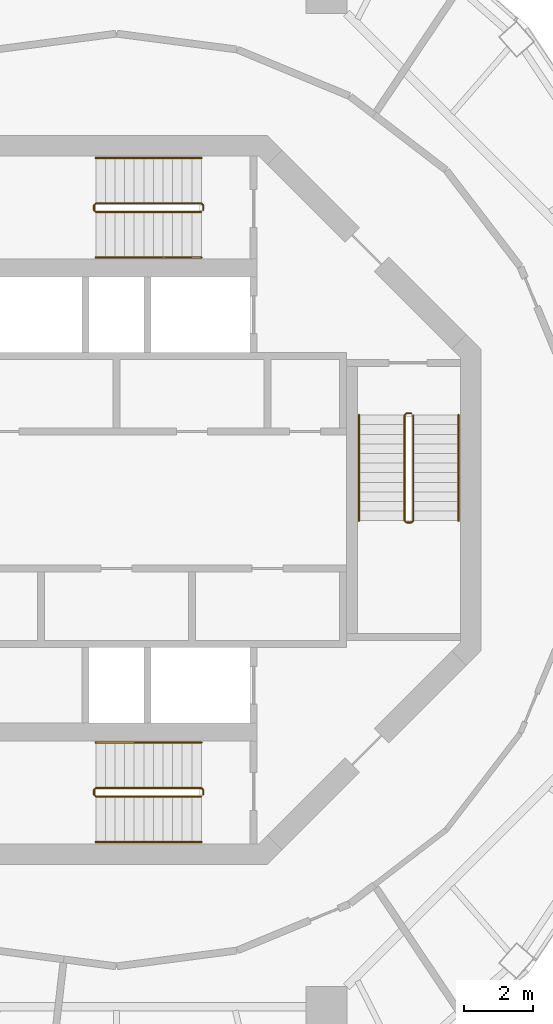
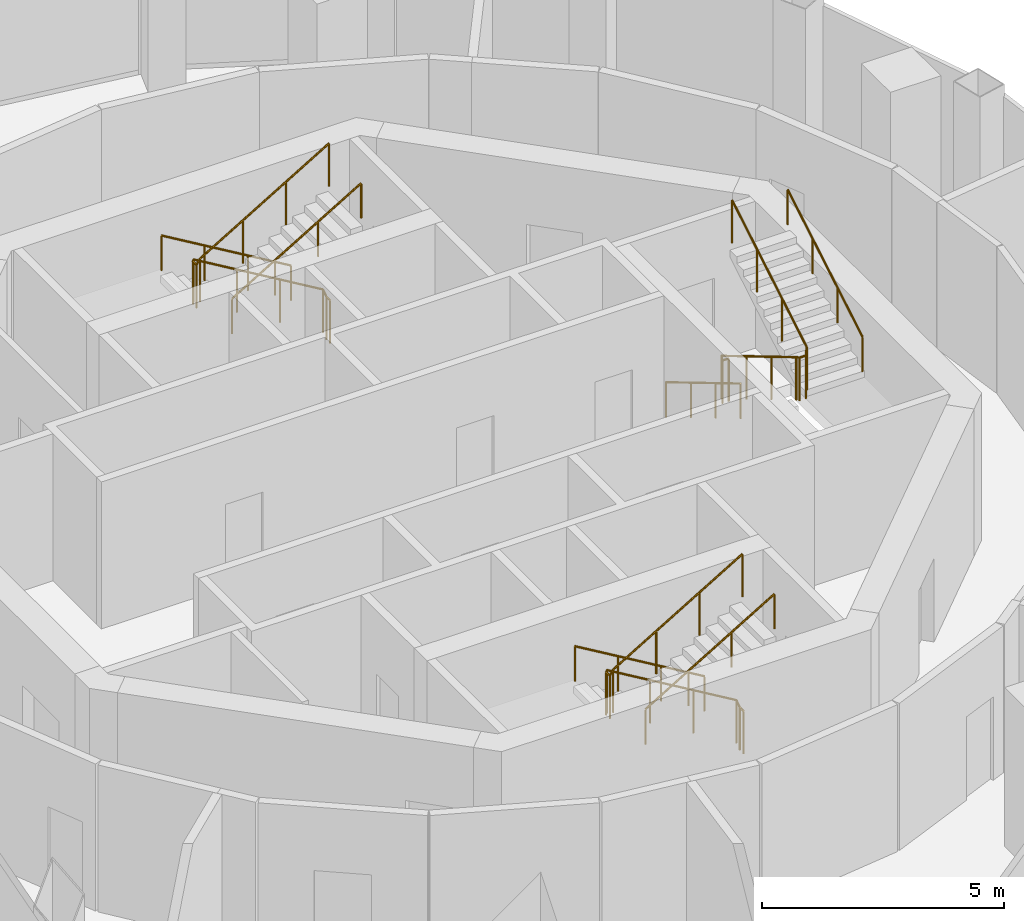
# One storey, part 11 of 11: 9 railings.
"""IFC4 building model written with IfcOpenShell, lengths in metres."""

from ifc_helpers import new_model, si_unit, direction, frame, origin, origin_2d, place, context, subcontext, project, spatial, circle, extrude, material, type_object, element, save


model = new_model("IFC4")

# Units and contexts
model_context = context("Model", 3, precision=1e-05, world=origin(), true_north=direction((0.0, 1.0)))
body_context = subcontext(model_context, "Body", "Model", "MODEL_VIEW")
ifc_project = project(units=[si_unit("LENGTHUNIT", "METRE"), si_unit("AREAUNIT", "SQUARE_METRE"), si_unit("VOLUMEUNIT", "CUBIC_METRE"), si_unit("PLANEANGLEUNIT", "RADIAN"), si_unit("MASSUNIT", "GRAM", prefix="KILO")], contexts=[model_context])

# Site, building, storey
site_placement = place(None, origin())
site = spatial("IfcSite", under=ifc_project, at=site_placement, CompositionType="ELEMENT")
building_placement = place(site_placement, origin())
building = spatial("IfcBuilding", under=site, at=building_placement, Name="Nagisa Residences", CompositionType="ELEMENT")
storey_placement = place(building_placement, frame((0.0, 0.0, 336.89990234375)))
storey = spatial("IfcBuildingStorey", under=building, at=storey_placement, Name="L83", CompositionType="ELEMENT", Elevation=336.89990234375)

# Railings
ifc_material_1 = material(Name="Stainless steel", Category="steel")
railing_type_1 = type_object("IfcRailingType", Name="Stair guard 1100", PredefinedType="GUARDRAIL", material=ifc_material_1)
railing_1_placement = place(storey_placement, frame((8.599609375, 2.52490234375, 0.0)))
element("IfcRailing", 1, at=railing_1_placement, inside=storey, type_object=railing_type_1, Name="L83 ST-E stair guard 1", PredefinedType="GUARDRAIL", context=body_context, shape_type="SweptSolid", body=[
    extrude(circle(Radius=0.02392578125, at=origin_2d()), frame((0.0, 0.0, 1.076171875), z_axis=(-1.0, 0.0, 0.0), x_axis=(0.0, -1.0, 0.0)), (0.0, 0.0, 1.0), 0.14990234375),
    extrude(circle(Radius=0.02392578125, at=origin_2d()), frame((-0.14990234375, 0.0, 1.076171875), z_axis=(-0.276389281352, -0.275041040955, 0.920848191041), x_axis=(0.705375805398, -0.708833529934, 0.0)), (0.0, 0.0, 1.0), 0.18115234375),
    extrude(circle(Radius=0.02392578125, at=origin_2d()), frame((-0.199951171875, -0.0498046875, 1.24267578125), z_axis=(0.0, -0.859308565015, 0.511457515432), x_axis=(1.0, 0.0, 0.0)), (0.0, 0.0, 1.0), 3.58447265625),
    extrude(circle(Radius=0.02392578125, at=origin_2d()), frame((-0.199951171875, -3.1298828125, 3.076171875), z_axis=(0.707106781187, -0.707106781187, 0.0), x_axis=(0.707106781187, 0.707106781187, 0.0)), (0.0, 0.0, 1.0), 0.07080078125),
    extrude(circle(Radius=0.02392578125, at=origin_2d()), frame((-0.14990234375, -3.179931640625, 3.076171875), z_axis=(1.0, 0.0, 0.0), x_axis=(0.0, 1.0, 0.0)), (0.0, 0.0, 1.0), 0.14990234375),
    extrude(circle(Radius=0.02392578125, at=origin_2d()), frame((0.0, -3.179931640625, 3.076171875), z_axis=(0.27628659633, 0.27628659633, 0.920506074601), x_axis=(-0.707106781187, 0.707106781187, 0.0)), (0.0, 0.0, 1.0), 0.18115234375),
    extrude(circle(Radius=0.02392578125, at=origin_2d()), frame((0.050048828125, -3.1298828125, 3.24267578125), z_axis=(0.0, 0.859308565015, 0.511457515432), x_axis=(-1.0, 0.0, 0.0)), (0.0, 0.0, 1.0), 3.58447265625),
    extrude(circle(Radius=0.02099609375, at=origin_2d()), origin(), (0.0, 0.0, 1.0), 1.052001953125),
    extrude(circle(Radius=0.02099609375, at=origin_2d()), frame((-0.14990234375, 0.0, 0.0)), (0.0, 0.0, 1.0), 1.052001953125),
    extrude(circle(Radius=0.02099609375, at=origin_2d()), frame((-0.199951171875, -0.0498046875, 0.166748046875)), (0.0, 0.0, 1.0), 1.052001953125),
    extrude(circle(Radius=0.02099609375, at=origin_2d()), frame((-0.199951171875, -1.076416015625, 0.77783203125)), (0.0, 0.0, 1.0), 1.052001953125),
    extrude(circle(Radius=0.02099609375, at=origin_2d()), frame((-0.199951171875, -2.103271484375, 1.388916015625)), (0.0, 0.0, 1.0), 1.052001953125),
    extrude(circle(Radius=0.02099609375, at=origin_2d()), frame((-0.199951171875, -3.1298828125, 2.0)), (0.0, 0.0, 1.0), 1.052001953125),
    extrude(circle(Radius=0.02099609375, at=origin_2d()), frame((-0.14990234375, -3.179931640625, 2.0)), (0.0, 0.0, 1.0), 1.052001953125),
    extrude(circle(Radius=0.02099609375, at=origin_2d()), frame((0.0, -3.179931640625, 2.0)), (0.0, 0.0, 1.0), 1.052001953125),
    extrude(circle(Radius=0.02099609375, at=origin_2d()), frame((0.050048828125, -3.1298828125, 2.166748046875)), (0.0, 0.0, 1.0), 1.052001953125),
    extrude(circle(Radius=0.02099609375, at=origin_2d()), frame((0.050048828125, -2.103271484375, 2.77783203125)), (0.0, 0.0, 1.0), 1.052001953125),
    extrude(circle(Radius=0.02099609375, at=origin_2d()), frame((0.050048828125, -1.076416015625, 3.388916015625)), (0.0, 0.0, 1.0), 1.052001953125),
    extrude(circle(Radius=0.02099609375, at=origin_2d()), frame((0.050048828125, -0.0498046875, 4.0)), (0.0, 0.0, 1.0), 1.052001953125),
])
railing_2_placement = place(storey_placement, frame((2.52490234375, 8.44970703125, 0.0)))
element("IfcRailing", 2, at=railing_2_placement, inside=storey, type_object=railing_type_1, Name="L83 ST-N stair guard 1", PredefinedType="GUARDRAIL", context=body_context, shape_type="SweptSolid", body=[
    extrude(circle(Radius=0.02392578125, at=origin_2d()), frame((0.0, 0.0, 1.076171875), z_axis=(0.0, 1.0, 0.0), x_axis=(-1.0, 0.0, 0.0)), (0.0, 0.0, 1.0), 0.14990234375),
    extrude(circle(Radius=0.02392578125, at=origin_2d()), frame((0.0, 0.14990234375, 1.076171875), z_axis=(-0.275041040955, 0.276389281352, 0.920848191041), x_axis=(-0.708833529934, -0.705375805398, 0.0)), (0.0, 0.0, 1.0), 0.18115234375),
    extrude(circle(Radius=0.02392578125, at=origin_2d()), frame((-0.0498046875, 0.199951171875, 1.24267578125), z_axis=(-0.859308565015, 0.0, 0.511457515432), x_axis=(0.0, -1.0, 0.0)), (0.0, 0.0, 1.0), 3.58447265625),
    extrude(circle(Radius=0.02392578125, at=origin_2d()), frame((-3.1298828125, 0.199951171875, 3.076171875), z_axis=(-0.707106781187, -0.707106781187, 0.0), x_axis=(0.707106781187, -0.707106781187, 0.0)), (0.0, 0.0, 1.0), 0.07080078125),
    extrude(circle(Radius=0.02392578125, at=origin_2d()), frame((-3.179931640625, 0.14990234375, 3.076171875), z_axis=(0.0, -1.0, 0.0), x_axis=(1.0, 0.0, 0.0)), (0.0, 0.0, 1.0), 0.14990234375),
    extrude(circle(Radius=0.02392578125, at=origin_2d()), frame((-3.179931640625, 0.0, 3.076171875), z_axis=(0.27628659633, -0.27628659633, 0.920506074601), x_axis=(0.707106781187, 0.707106781187, 0.0)), (0.0, 0.0, 1.0), 0.18115234375),
    extrude(circle(Radius=0.02392578125, at=origin_2d()), frame((-3.1298828125, -0.050048828125, 3.24267578125), z_axis=(0.859308565015, 0.0, 0.511457515432), x_axis=(0.0, 1.0, 0.0)), (0.0, 0.0, 1.0), 3.58447265625),
    extrude(circle(Radius=0.02099609375, at=origin_2d()), origin(), (0.0, 0.0, 1.0), 1.052001953125),
    extrude(circle(Radius=0.02099609375, at=origin_2d()), frame((0.0, 0.14990234375, 0.0)), (0.0, 0.0, 1.0), 1.052001953125),
    extrude(circle(Radius=0.02099609375, at=origin_2d()), frame((-0.0498046875, 0.199951171875, 0.166748046875)), (0.0, 0.0, 1.0), 1.052001953125),
    extrude(circle(Radius=0.02099609375, at=origin_2d()), frame((-1.076416015625, 0.199951171875, 0.77783203125)), (0.0, 0.0, 1.0), 1.052001953125),
    extrude(circle(Radius=0.02099609375, at=origin_2d()), frame((-2.103271484375, 0.199951171875, 1.388916015625)), (0.0, 0.0, 1.0), 1.052001953125),
    extrude(circle(Radius=0.02099609375, at=origin_2d()), frame((-3.1298828125, 0.199951171875, 2.0)), (0.0, 0.0, 1.0), 1.052001953125),
    extrude(circle(Radius=0.02099609375, at=origin_2d()), frame((-3.179931640625, 0.14990234375, 2.0)), (0.0, 0.0, 1.0), 1.052001953125),
    extrude(circle(Radius=0.02099609375, at=origin_2d()), frame((-3.179931640625, 0.0, 2.0)), (0.0, 0.0, 1.0), 1.052001953125),
    extrude(circle(Radius=0.02099609375, at=origin_2d()), frame((-3.1298828125, -0.050048828125, 2.166748046875)), (0.0, 0.0, 1.0), 1.052001953125),
    extrude(circle(Radius=0.02099609375, at=origin_2d()), frame((-2.103271484375, -0.050048828125, 2.77783203125)), (0.0, 0.0, 1.0), 1.052001953125),
    extrude(circle(Radius=0.02099609375, at=origin_2d()), frame((-1.076416015625, -0.050048828125, 3.388916015625)), (0.0, 0.0, 1.0), 1.052001953125),
    extrude(circle(Radius=0.02099609375, at=origin_2d()), frame((-0.0498046875, -0.050048828125, 4.0)), (0.0, 0.0, 1.0), 1.052001953125),
])
railing_3_placement = place(storey_placement, frame((2.52490234375, -8.599609375, 0.0)))
element("IfcRailing", 3, at=railing_3_placement, inside=storey, type_object=railing_type_1, Name="L83 ST-S stair guard 1", PredefinedType="GUARDRAIL", context=body_context, shape_type="SweptSolid", body=[
    extrude(circle(Radius=0.02392578125, at=origin_2d()), frame((0.0, 0.0, 1.076171875), z_axis=(0.0, 1.0, 0.0), x_axis=(-1.0, 0.0, 0.0)), (0.0, 0.0, 1.0), 0.14990234375),
    extrude(circle(Radius=0.02392578125, at=origin_2d()), frame((0.0, 0.14990234375, 1.076171875), z_axis=(-0.275041040955, 0.276389281352, 0.920848191041), x_axis=(-0.708833529934, -0.705375805398, 0.0)), (0.0, 0.0, 1.0), 0.18115234375),
    extrude(circle(Radius=0.02392578125, at=origin_2d()), frame((-0.0498046875, 0.199951171875, 1.24267578125), z_axis=(-0.859308565015, 0.0, 0.511457515432), x_axis=(0.0, -1.0, 0.0)), (0.0, 0.0, 1.0), 3.58447265625),
    extrude(circle(Radius=0.02392578125, at=origin_2d()), frame((-3.1298828125, 0.199951171875, 3.076171875), z_axis=(-0.707106781187, -0.707106781187, 0.0), x_axis=(0.707106781187, -0.707106781187, 0.0)), (0.0, 0.0, 1.0), 0.07080078125),
    extrude(circle(Radius=0.02392578125, at=origin_2d()), frame((-3.179931640625, 0.14990234375, 3.076171875), z_axis=(0.0, -1.0, 0.0), x_axis=(1.0, 0.0, 0.0)), (0.0, 0.0, 1.0), 0.14990234375),
    extrude(circle(Radius=0.02392578125, at=origin_2d()), frame((-3.179931640625, 0.0, 3.076171875), z_axis=(0.27628659633, -0.27628659633, 0.920506074601), x_axis=(0.707106781187, 0.707106781187, 0.0)), (0.0, 0.0, 1.0), 0.18115234375),
    extrude(circle(Radius=0.02392578125, at=origin_2d()), frame((-3.1298828125, -0.050048828125, 3.24267578125), z_axis=(0.859308565015, 0.0, 0.511457515432), x_axis=(0.0, 1.0, 0.0)), (0.0, 0.0, 1.0), 3.58447265625),
    extrude(circle(Radius=0.02099609375, at=origin_2d()), origin(), (0.0, 0.0, 1.0), 1.052001953125),
    extrude(circle(Radius=0.02099609375, at=origin_2d()), frame((0.0, 0.14990234375, 0.0)), (0.0, 0.0, 1.0), 1.052001953125),
    extrude(circle(Radius=0.02099609375, at=origin_2d()), frame((-0.0498046875, 0.199951171875, 0.166748046875)), (0.0, 0.0, 1.0), 1.052001953125),
    extrude(circle(Radius=0.02099609375, at=origin_2d()), frame((-1.076416015625, 0.199951171875, 0.77783203125)), (0.0, 0.0, 1.0), 1.052001953125),
    extrude(circle(Radius=0.02099609375, at=origin_2d()), frame((-2.103271484375, 0.199951171875, 1.388916015625)), (0.0, 0.0, 1.0), 1.052001953125),
    extrude(circle(Radius=0.02099609375, at=origin_2d()), frame((-3.1298828125, 0.199951171875, 2.0)), (0.0, 0.0, 1.0), 1.052001953125),
    extrude(circle(Radius=0.02099609375, at=origin_2d()), frame((-3.179931640625, 0.14990234375, 2.0)), (0.0, 0.0, 1.0), 1.052001953125),
    extrude(circle(Radius=0.02099609375, at=origin_2d()), frame((-3.179931640625, 0.0, 2.0)), (0.0, 0.0, 1.0), 1.052001953125),
    extrude(circle(Radius=0.02099609375, at=origin_2d()), frame((-3.1298828125, -0.050048828125, 2.166748046875)), (0.0, 0.0, 1.0), 1.052001953125),
    extrude(circle(Radius=0.02099609375, at=origin_2d()), frame((-2.103271484375, -0.050048828125, 2.77783203125)), (0.0, 0.0, 1.0), 1.052001953125),
    extrude(circle(Radius=0.02099609375, at=origin_2d()), frame((-1.076416015625, -0.050048828125, 3.388916015625)), (0.0, 0.0, 1.0), 1.052001953125),
    extrude(circle(Radius=0.02099609375, at=origin_2d()), frame((-0.0498046875, -0.050048828125, 4.0)), (0.0, 0.0, 1.0), 1.052001953125),
])
ifc_material_2 = material(Name="Stainless steel", Category="steel")
railing_type_2 = type_object("IfcRailingType", Name="Stair handrail 900", PredefinedType="HANDRAIL", material=ifc_material_2)
railing_4_placement = place(storey_placement, frame((7.07470703125, 2.47509765625, 0.166748046875)))
element("IfcRailing", 4, at=railing_4_placement, inside=storey, type_object=railing_type_2, Name="L83 ST-E stair handrail 1", PredefinedType="HANDRAIL", context=body_context, shape_type="SweptSolid", body=[
    extrude(circle(Radius=0.02392578125, at=origin_2d()), frame((0.0, 0.0, 0.8759765625), z_axis=(0.0, -0.859308565015, 0.511457515432), x_axis=(1.0, 0.0, 0.0)), (0.0, 0.0, 1.0), 3.58447265625),
    extrude(circle(Radius=0.02099609375, at=origin_2d()), origin(), (0.0, 0.0, 1.0), 0.851806640625),
    extrude(circle(Radius=0.02099609375, at=origin_2d()), frame((0.0, -1.026611328125, 0.611083984375)), (0.0, 0.0, 1.0), 0.851806640625),
    extrude(circle(Radius=0.02099609375, at=origin_2d()), frame((0.0, -2.053466796875, 1.22216796875)), (0.0, 0.0, 1.0), 0.851806640625),
    extrude(circle(Radius=0.02099609375, at=origin_2d()), frame((0.0, -3.080078125, 1.833251953125)), (0.0, 0.0, 1.0), 0.851806640625),
])
railing_5_placement = place(storey_placement, frame((9.974609375, -0.60498046875, 2.166748046875)))
element("IfcRailing", 5, at=railing_5_placement, inside=storey, type_object=railing_type_2, Name="L83 ST-E stair handrail 2", PredefinedType="HANDRAIL", context=body_context, shape_type="SweptSolid", body=[
    extrude(circle(Radius=0.02392578125, at=origin_2d()), frame((0.0, 0.0, 0.8759765625), z_axis=(0.0, 0.859308565015, 0.511457515432), x_axis=(-1.0, 0.0, 0.0)), (0.0, 0.0, 1.0), 3.58447265625),
    extrude(circle(Radius=0.02099609375, at=origin_2d()), origin(), (0.0, 0.0, 1.0), 0.851806640625),
    extrude(circle(Radius=0.02099609375, at=origin_2d()), frame((0.0, 1.026611328125, 0.611083984375)), (0.0, 0.0, 1.0), 0.851806640625),
    extrude(circle(Radius=0.02099609375, at=origin_2d()), frame((0.0, 2.053466796875, 1.22216796875)), (0.0, 0.0, 1.0), 0.851806640625),
    extrude(circle(Radius=0.02099609375, at=origin_2d()), frame((0.0, 3.080078125, 1.833251953125)), (0.0, 0.0, 1.0), 0.851806640625),
])
railing_6_placement = place(storey_placement, frame((2.47509765625, 9.974609375, 0.166748046875)))
element("IfcRailing", 6, at=railing_6_placement, inside=storey, type_object=railing_type_2, Name="L83 ST-N stair handrail 1", PredefinedType="HANDRAIL", context=body_context, shape_type="SweptSolid", body=[
    extrude(circle(Radius=0.02392578125, at=origin_2d()), frame((0.0, 0.0, 0.8759765625), z_axis=(-0.859308565015, 0.0, 0.511457515432), x_axis=(0.0, -1.0, 0.0)), (0.0, 0.0, 1.0), 3.58447265625),
    extrude(circle(Radius=0.02099609375, at=origin_2d()), origin(), (0.0, 0.0, 1.0), 0.851806640625),
    extrude(circle(Radius=0.02099609375, at=origin_2d()), frame((-1.026611328125, 0.0, 0.611083984375)), (0.0, 0.0, 1.0), 0.851806640625),
    extrude(circle(Radius=0.02099609375, at=origin_2d()), frame((-2.053466796875, 0.0, 1.22216796875)), (0.0, 0.0, 1.0), 0.851806640625),
    extrude(circle(Radius=0.02099609375, at=origin_2d()), frame((-3.080078125, 0.0, 1.833251953125)), (0.0, 0.0, 1.0), 0.851806640625),
])
railing_7_placement = place(storey_placement, frame((-0.60498046875, 7.07470703125, 2.166748046875)))
element("IfcRailing", 7, at=railing_7_placement, inside=storey, type_object=railing_type_2, Name="L83 ST-N stair handrail 2", PredefinedType="HANDRAIL", context=body_context, shape_type="SweptSolid", body=[
    extrude(circle(Radius=0.02392578125, at=origin_2d()), frame((0.0, 0.0, 0.8759765625), z_axis=(0.859308565015, 0.0, 0.511457515432), x_axis=(0.0, 1.0, 0.0)), (0.0, 0.0, 1.0), 3.58447265625),
    extrude(circle(Radius=0.02099609375, at=origin_2d()), origin(), (0.0, 0.0, 1.0), 0.851806640625),
    extrude(circle(Radius=0.02099609375, at=origin_2d()), frame((1.026611328125, 0.0, 0.611083984375)), (0.0, 0.0, 1.0), 0.851806640625),
    extrude(circle(Radius=0.02099609375, at=origin_2d()), frame((2.053466796875, 0.0, 1.22216796875)), (0.0, 0.0, 1.0), 0.851806640625),
    extrude(circle(Radius=0.02099609375, at=origin_2d()), frame((3.080078125, 0.0, 1.833251953125)), (0.0, 0.0, 1.0), 0.851806640625),
])
railing_8_placement = place(storey_placement, frame((2.47509765625, -7.07470703125, 0.166748046875)))
element("IfcRailing", 8, at=railing_8_placement, inside=storey, type_object=railing_type_2, Name="L83 ST-S stair handrail 1", PredefinedType="HANDRAIL", context=body_context, shape_type="SweptSolid", body=[
    extrude(circle(Radius=0.02392578125, at=origin_2d()), frame((0.0, 0.0, 0.8759765625), z_axis=(-0.859308565015, 0.0, 0.511457515432), x_axis=(0.0, -1.0, 0.0)), (0.0, 0.0, 1.0), 3.58447265625),
    extrude(circle(Radius=0.02099609375, at=origin_2d()), origin(), (0.0, 0.0, 1.0), 0.851806640625),
    extrude(circle(Radius=0.02099609375, at=origin_2d()), frame((-1.026611328125, 0.0, 0.611083984375)), (0.0, 0.0, 1.0), 0.851806640625),
    extrude(circle(Radius=0.02099609375, at=origin_2d()), frame((-2.053466796875, 0.0, 1.22216796875)), (0.0, 0.0, 1.0), 0.851806640625),
    extrude(circle(Radius=0.02099609375, at=origin_2d()), frame((-3.080078125, 0.0, 1.833251953125)), (0.0, 0.0, 1.0), 0.851806640625),
])
railing_9_placement = place(storey_placement, frame((-0.60498046875, -9.974609375, 2.166748046875)))
element("IfcRailing", 9, at=railing_9_placement, inside=storey, type_object=railing_type_2, Name="L83 ST-S stair handrail 2", PredefinedType="HANDRAIL", context=body_context, shape_type="SweptSolid", body=[
    extrude(circle(Radius=0.02392578125, at=origin_2d()), frame((0.0, 0.0, 0.8759765625), z_axis=(0.859308565015, 0.0, 0.511457515432), x_axis=(0.0, 1.0, 0.0)), (0.0, 0.0, 1.0), 3.58447265625),
    extrude(circle(Radius=0.02099609375, at=origin_2d()), origin(), (0.0, 0.0, 1.0), 0.851806640625),
    extrude(circle(Radius=0.02099609375, at=origin_2d()), frame((1.026611328125, 0.0, 0.611083984375)), (0.0, 0.0, 1.0), 0.851806640625),
    extrude(circle(Radius=0.02099609375, at=origin_2d()), frame((2.053466796875, 0.0, 1.22216796875)), (0.0, 0.0, 1.0), 0.851806640625),
    extrude(circle(Radius=0.02099609375, at=origin_2d()), frame((3.080078125, 0.0, 1.833251953125)), (0.0, 0.0, 1.0), 0.851806640625),
])

save(model, "model.ifc")
